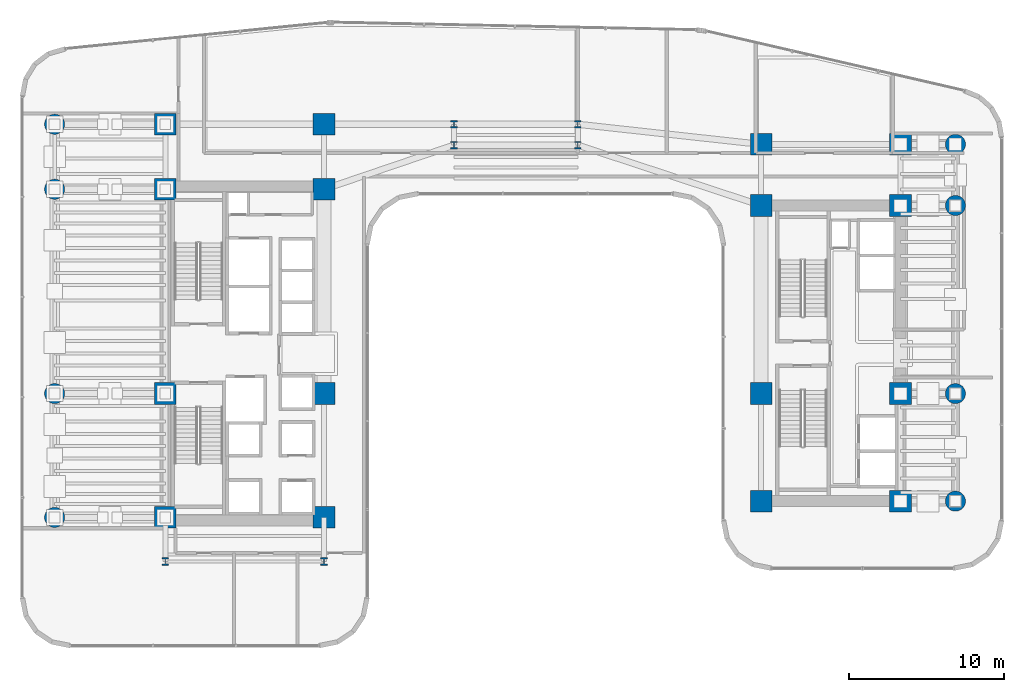
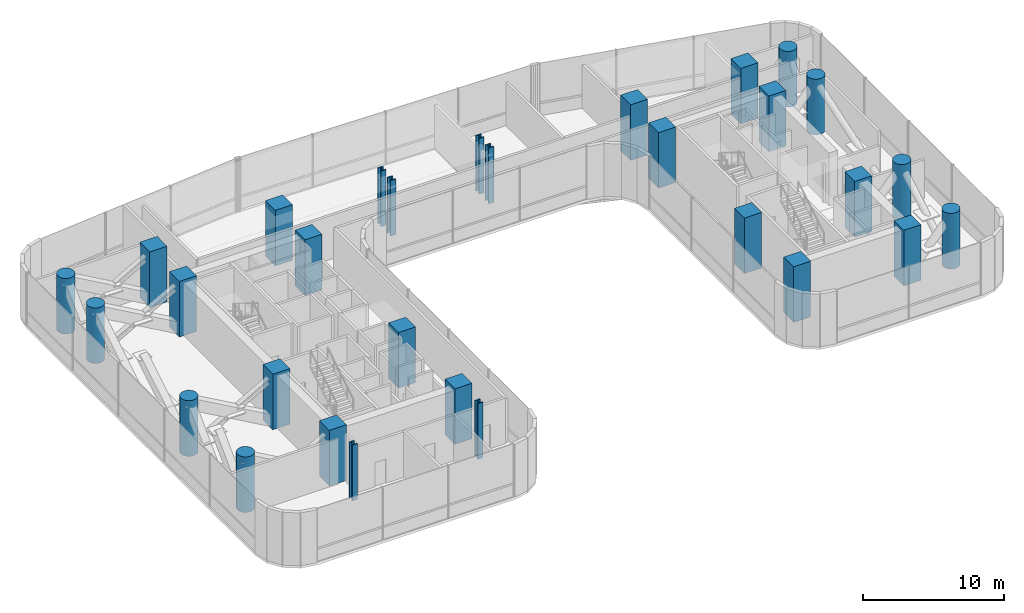
# One storey, part 1 of 39: 30 columns.
"""IFC4 building model written with IfcOpenShell, lengths in metres."""

from ifc_helpers import new_model, si_unit, direction, frame, origin, origin_2d, place, context, subcontext, project, spatial, rectangle, circle, i_section, extrude, source, transform, mapped, material, material_profile, profile_set, type_object, element, save


model = new_model("IFC4")

# Units and contexts
model_context = context("Model", 3, precision=1e-05, world=origin(), true_north=direction((0.0, 1.0)))
body_context = subcontext(model_context, "Body", "Model", "MODEL_VIEW")
ifc_project = project(units=[si_unit("LENGTHUNIT", "METRE"), si_unit("AREAUNIT", "SQUARE_METRE"), si_unit("VOLUMEUNIT", "CUBIC_METRE"), si_unit("PLANEANGLEUNIT", "RADIAN"), si_unit("MASSUNIT", "GRAM", prefix="KILO")], contexts=[model_context])

# Site, building, storey
site_placement = place(None, origin())
site = spatial("IfcSite", under=ifc_project, at=site_placement, CompositionType="ELEMENT")
building_placement = place(site_placement, origin())
building = spatial("IfcBuilding", under=site, at=building_placement, Name="Valdorenza Pilgrim Sanctuary Tower", CompositionType="ELEMENT")
storey_placement = place(building_placement, frame((0.0, 0.0, 96.300048828125)))
storey = spatial("IfcBuildingStorey", under=building, at=storey_placement, Name="L24", CompositionType="ELEMENT", Elevation=96.300048828125)

# Columns
ifc_material_1 = material(Name="Concrete C60/75", Category="concrete")
ifc_material_profile_1 = material_profile(ifc_material_1, rectangle(XDim=1.39990234375, YDim=1.39990234375, at=origin_2d()), Name="RC 1400x1400")
ifc_profile_set_1 = profile_set([ifc_material_profile_1], Name="Concrete C60/75")
column_type_1 = type_object("IfcColumnType", Name="COL-Z1-1400", PredefinedType="COLUMN", material=ifc_profile_set_1)
shared_shape_1 = source(origin(), body_context, "Body", "SweptSolid", [
    extrude(rectangle(XDim=1.39990234375, YDim=1.39990234375, at=origin_2d()), origin(), (0.0, 0.0, 1.0), 4.800048828125),
])
for number, where, z_axis, x_axis, name in (
    (1, (-22.64990234375, -10.60009765625, 0.0), (0.0, 0.0, 1.0), (1.0, 0.0, 0.0), "L24 Column CA-W-S1"),
    (2, (-12.39990234375, -10.60009765625, 0.0), (0.0, 0.0, 1.0), (1.0, 0.0, 0.0), "L24 Column CA-E-S1"),
    (3, (-22.64990234375, -2.60009765625, 0.0), (0.0, 0.0, 1.0), (1.0, 0.0, 0.0), "L24 Column CA-W-M0"),
    (4, (-12.39990234375, -2.60009765625, 0.0), (0.0, 0.0, 1.0), (1.0, 0.0, 0.0), "L24 Column CA-E-M0"),
    (5, (-22.64990234375, 10.60009765625, 0.0), (0.0, 0.0, 1.0), (1.0, 0.0, 0.0), "L24 Column CA-W-N1"),
    (6, (-12.39990234375, 10.60009765625, 0.0), (0.0, 0.0, 1.0), (1.0, 0.0, 0.0), "L24 Column CA-E-N1"),
    (7, (-22.64990234375, 14.800048828125, 0.0), (0.0, 0.0, 1.0), (1.0, 0.0, 0.0), "L24 Column CA-W-N2"),
    (8, (-12.39990234375, 14.800048828125, 0.0), (0.0, 0.0, 1.0), (1.0, 0.0, 0.0), "L24 Column CA-E-N2"),
    (9, (15.85009765625, -9.550048828125, 0.0), (0.0, 0.0, 1.0), (1.0, 0.0, 0.0), "L24 Column CB-W-S1"),
    (10, (24.85009765625, -9.550048828125, 0.0), (0.0, 0.0, 1.0), (1.0, 0.0, 0.0), "L24 Column CB-E-S1"),
    (11, (15.85009765625, -2.60009765625, 0.0), (0.0, 0.0, 1.0), (1.0, 0.0, 0.0), "L24 Column CB-W-M0"),
    (12, (24.85009765625, -2.60009765625, 0.0), (0.0, 0.0, 1.0), (1.0, 0.0, 0.0), "L24 Column CB-E-M0"),
    (13, (15.85009765625, 9.550048828125, 0.0), (0.0, 0.0, 1.0), (1.0, 0.0, 0.0), "L24 Column CB-W-N1"),
    (14, (24.85009765625, 9.550048828125, 0.0), (0.0, 0.0, 1.0), (1.0, 0.0, 0.0), "L24 Column CB-E-N1"),
    (15, (15.85009765625, 13.5, 0.0), (0.0, 0.0, 1.0), (1.0, 0.0, 0.0), "L24 Column CB-W-N2"),
    (16, (24.85009765625, 13.5, 0.0), (0.0, 0.0, 1.0), (1.0, 0.0, 0.0), "L24 Column CB-E-N2"),
):
    element("IfcColumn", number, at=place(storey_placement, frame(where, z_axis=z_axis, x_axis=x_axis)), inside=storey, type_object=column_type_1, Name=name, PredefinedType="COLUMN", context=body_context, shape_type="MappedRepresentation", body=[
        mapped(shared_shape_1, transform((0.0, 0.0, 0.0), x_axis=(1.0, 0.0, 0.0), y_axis=(0.0, 1.0, 0.0), z_axis=(0.0, 0.0, 1.0), scale=1.0)),
    ])
ifc_material_profile_2 = material_profile(ifc_material_1, circle(Radius=0.64990234375, at=origin_2d()), Name="RC D1300")
ifc_profile_set_2 = profile_set([ifc_material_profile_2], Name="Concrete C60/75")
column_type_2 = type_object("IfcColumnType", Name="COL-RND-1300", PredefinedType="COLUMN", material=ifc_profile_set_2)
shared_shape_2 = source(origin(), body_context, "Body", "SweptSolid", [
    extrude(circle(Radius=0.64990234375, at=origin_2d()), origin(), (0.0, 0.0, 1.0), 4.800048828125),
])
for number, where, z_axis, x_axis, name in (
    (17, (-29.800048828125, -10.60009765625, 0.0), (0.0, 0.0, 1.0), (1.0, 0.0, 0.0), "L24 Perimeter Column WA-W-S1"),
    (18, (-29.800048828125, -2.60009765625, 0.0), (0.0, 0.0, 1.0), (1.0, 0.0, 0.0), "L24 Perimeter Column WA-W-M0"),
    (19, (-29.800048828125, 10.60009765625, 0.0), (0.0, 0.0, 1.0), (1.0, 0.0, 0.0), "L24 Perimeter Column WA-W-N1"),
    (20, (-29.800048828125, 14.800048828125, 0.0), (0.0, 0.0, 1.0), (1.0, 0.0, 0.0), "L24 Perimeter Column WA-W-N2"),
    (21, (28.39990234375, -9.550048828125, 0.0), (0.0, 0.0, 1.0), (1.0, 0.0, 0.0), "L24 Perimeter Column WB-E-S1"),
    (22, (28.39990234375, -2.60009765625, 0.0), (0.0, 0.0, 1.0), (1.0, 0.0, 0.0), "L24 Perimeter Column WB-E-M0"),
    (23, (28.39990234375, 9.550048828125, 0.0), (0.0, 0.0, 1.0), (1.0, 0.0, 0.0), "L24 Perimeter Column WB-E-N1"),
    (24, (28.39990234375, 13.5, 0.0), (0.0, 0.0, 1.0), (1.0, 0.0, 0.0), "L24 Perimeter Column WB-E-N2"),
):
    element("IfcColumn", number, at=place(storey_placement, frame(where, z_axis=z_axis, x_axis=x_axis)), inside=storey, type_object=column_type_2, Name=name, PredefinedType="COLUMN", context=body_context, shape_type="MappedRepresentation", body=[
        mapped(shared_shape_2, transform((0.0, 0.0, 0.0), x_axis=(1.0, 0.0, 0.0), y_axis=(0.0, 1.0, 0.0), z_axis=(0.0, 0.0, 1.0), scale=1.0)),
    ])
ifc_material_2 = material(Name="Steel ASTM A992 Grade 50", Category="steel")
ifc_material_profile_3 = material_profile(ifc_material_2, i_section(OverallWidth=0.431884765625, OverallDepth=0.498046875, WebThickness=0.0556640625, FlangeThickness=0.0888671875, at=origin_2d()), Name="W14X500")
ifc_profile_set_3 = profile_set([ifc_material_profile_3], Name="Steel ASTM A992 Grade 50")
column_type_3 = type_object("IfcColumnType", Name="COL-STL-W500", PredefinedType="COLUMN", material=ifc_profile_set_3)
shared_shape_3 = source(origin(), body_context, "Body", "SweptSolid", [
    extrude(i_section(OverallWidth=0.431884765625, OverallDepth=0.498046875, WebThickness=0.0556640625, FlangeThickness=0.0888671875, at=origin_2d()), origin(), (0.0, 0.0, 1.0), 4.800048828125),
])
for number, where, z_axis, x_axis, name in (
    (25, (-22.64990234375, -13.449951171875, 0.0), (0.0, 0.0, 1.0), (1.0, 0.0, 0.0), "L24 Column WA-S-W"),
    (26, (-12.39990234375, -13.449951171875, 0.0), (0.0, 0.0, 1.0), (1.0, 0.0, 0.0), "L24 Column WA-S-E"),
    (27, (-4.0, 13.449951171875, 0.0), (0.0, 0.0, 1.0), (1.0, 0.0, 0.0), "L24 Column KNK-W1"),
    (28, (-4.0, 14.800048828125, 0.0), (0.0, 0.0, 1.0), (1.0, 0.0, 0.0), "L24 Column KNK-W2"),
    (29, (4.0, 13.449951171875, 0.0), (0.0, 0.0, 1.0), (1.0, 0.0, 0.0), "L24 Column KNK-E1"),
    (30, (4.0, 14.800048828125, 0.0), (0.0, 0.0, 1.0), (1.0, 0.0, 0.0), "L24 Column KNK-E2"),
):
    element("IfcColumn", number, at=place(storey_placement, frame(where, z_axis=z_axis, x_axis=x_axis)), inside=storey, type_object=column_type_3, Name=name, PredefinedType="COLUMN", context=body_context, shape_type="MappedRepresentation", body=[
        mapped(shared_shape_3, transform((0.0, 0.0, 0.0), x_axis=(1.0, 0.0, 0.0), y_axis=(0.0, 1.0, 0.0), z_axis=(0.0, 0.0, 1.0), scale=1.0)),
    ])

save(model, "model.ifc")
